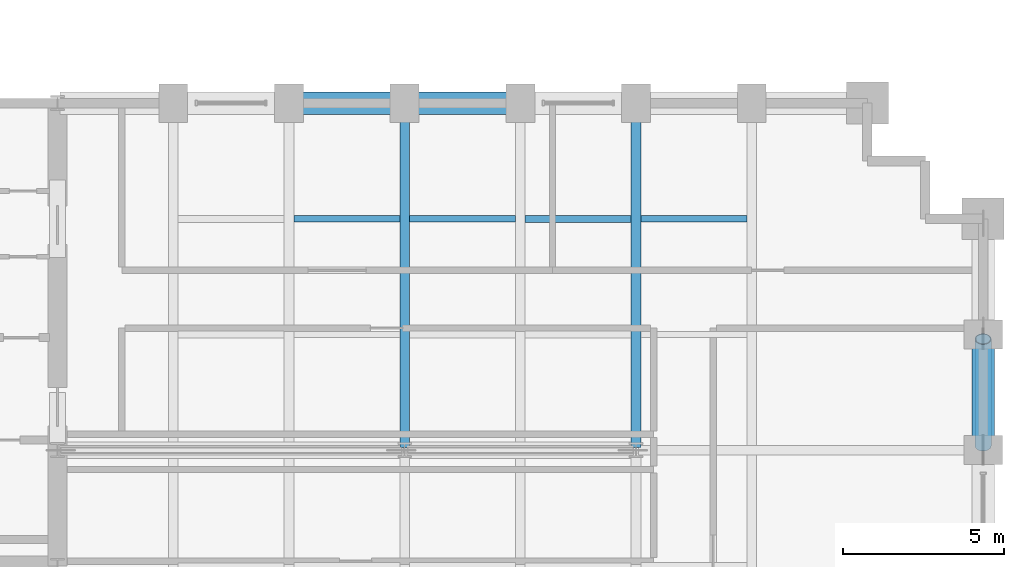
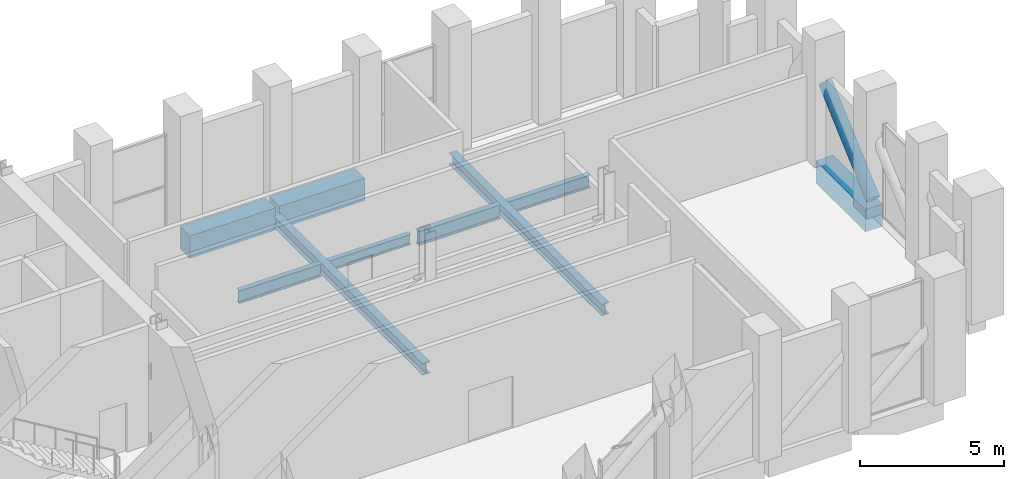
# One storey, part 14 of 27: 9 beams, 1 member.
"""IFC4 building model written with IfcOpenShell, lengths in metres."""

from ifc_helpers import new_model, si_unit, direction, frame, origin, origin_2d, place, context, subcontext, project, spatial, rectangle, hollow_circle, i_section, extrude, material, material_profile, profile_set, type_object, element, save


model = new_model("IFC4")

# Units and contexts
model_context = context("Model", 3, precision=1e-05, world=origin(), true_north=direction((0.0, 1.0)))
body_context = subcontext(model_context, "Body", "Model", "MODEL_VIEW")
ifc_project = project(units=[si_unit("LENGTHUNIT", "METRE"), si_unit("AREAUNIT", "SQUARE_METRE"), si_unit("VOLUMEUNIT", "CUBIC_METRE"), si_unit("PLANEANGLEUNIT", "RADIAN"), si_unit("MASSUNIT", "GRAM", prefix="KILO")], contexts=[model_context])

# Site, building, storey
site_placement = place(None, origin())
site = spatial("IfcSite", under=ifc_project, at=site_placement, CompositionType="ELEMENT")
building_placement = place(site_placement, origin())
building = spatial("IfcBuilding", under=site, at=building_placement, Name="Solnavia Interchange Tower", CompositionType="ELEMENT")
storey_placement = place(building_placement, frame((0.0, 0.0, 74.699951171875)))
storey = spatial("IfcBuildingStorey", under=building, at=storey_placement, Name="L18", CompositionType="ELEMENT", Elevation=74.699951171875)

# Beams
ifc_material_1 = material(Name="Steel S355", Category="steel")
ifc_material_profile_1 = material_profile(ifc_material_1, i_section(OverallWidth=0.18994140625, OverallDepth=0.449951171875, WebThickness=0.009521484375, FlangeThickness=0.0146484375, FilletRadius=0.02099609375, at=origin_2d()), Name="IPE 450")
ifc_profile_set_1 = profile_set([ifc_material_profile_1], Name="Steel S355")
beam_type_1 = type_object("IfcBeamType", Name="Beam-Joist-IPE450", PredefinedType="JOIST", material=ifc_profile_set_1)
beam_1_placement = place(storey_placement, frame((43.35009765625, 21.60009765625, -0.544921875), z_axis=(1.0, 0.0, 0.0), x_axis=(0.0, 1.0, 0.0)))
element("IfcBeam", 1, at=beam_1_placement, inside=storey, type_object=beam_type_1, Name="JST-L18-E18 East wing secondary joist", PredefinedType="JOIST", context=body_context, shape_type="SweptSolid", body=[
    extrude(i_section(OverallWidth=0.18994140625, OverallDepth=0.449951171875, WebThickness=0.009521484375, FlangeThickness=0.0146484375, FilletRadius=0.02099609375, at=origin_2d()), origin(), (0.0, 0.0, 1.0), 3.2998046875),
])
ifc_material_profile_2 = material_profile(ifc_material_1, i_section(OverallWidth=0.2099609375, OverallDepth=0.550048828125, WebThickness=0.010986328125, FlangeThickness=0.01708984375, FilletRadius=0.02392578125, at=origin_2d()), Name="IPE 550")
ifc_profile_set_2 = profile_set([ifc_material_profile_2], Name="Steel S355")
beam_type_2 = type_object("IfcBeamType", Name="Beam-Joist-IPE550", PredefinedType="JOIST", material=ifc_profile_set_2)
for number, where, z_axis, x_axis, name in (
    (2, (39.75, 21.60009765625, -0.594970703125), (1.0, 0.0, 0.0), (0.0, 1.0, 0.0), "JST-L18-E17 East wing secondary joist"),
    (3, (50.550048828125, 21.60009765625, -0.594970703125), (1.0, 0.0, 0.0), (0.0, 1.0, 0.0), "JST-L18-E20 East wing secondary joist"),
):
    element("IfcBeam", number, at=place(storey_placement, frame(where, z_axis=z_axis, x_axis=x_axis)), inside=storey, type_object=beam_type_2, Name=name, PredefinedType="JOIST", context=body_context, shape_type="SweptSolid", body=[
        extrude(i_section(OverallWidth=0.2099609375, OverallDepth=0.550048828125, WebThickness=0.010986328125, FlangeThickness=0.01708984375, FilletRadius=0.02392578125, at=origin_2d()), origin(), (0.0, 0.0, 1.0), 3.300048828125),
    ])
ifc_material_profile_3 = material_profile(ifc_material_1, i_section(OverallWidth=0.219970703125, OverallDepth=0.60009765625, WebThickness=0.011962890625, FlangeThickness=0.01904296875, FilletRadius=0.02392578125, at=origin_2d()), Name="IPE 600")
ifc_profile_set_3 = profile_set([ifc_material_profile_3], Name="Steel S355")
beam_type_3 = type_object("IfcBeamType", Name="Beam-Joist-IPE600", PredefinedType="JOIST", material=ifc_profile_set_3)
beam_2_placement = place(storey_placement, frame((46.949951171875, 21.60009765625, -0.619873046875), z_axis=(1.0, 0.0, 0.0), x_axis=(0.0, 1.0, 0.0)))
element("IfcBeam", 4, at=beam_2_placement, inside=storey, type_object=beam_type_3, Name="JST-L18-E19 East wing secondary joist", PredefinedType="JOIST", context=body_context, shape_type="SweptSolid", body=[
    extrude(i_section(OverallWidth=0.219970703125, OverallDepth=0.60009765625, WebThickness=0.011962890625, FlangeThickness=0.01904296875, FilletRadius=0.02392578125, at=origin_2d()), origin(), (0.0, 0.0, 1.0), 3.300048828125),
])
ifc_material_profile_4 = material_profile(ifc_material_1, i_section(OverallWidth=0.300048828125, OverallDepth=0.489990234375, WebThickness=0.011962890625, FlangeThickness=0.02294921875, FilletRadius=0.027099609375, at=origin_2d()), Name="HEA 500")
ifc_profile_set_4 = profile_set([ifc_material_profile_4], Name="Steel S355")
beam_type_4 = type_object("IfcBeamType", Name="Beam-Primary-HEA500", PredefinedType="BEAM", material=ifc_profile_set_4)
for number, where, z_axis, x_axis, name in (
    (5, (43.199951171875, 14.47998046875, -0.56494140625), (0.0, 1.0, 0.0), (-1.0, 0.0, 0.0), "GRD-L18-EW07 East wing primary floor girder"),
    (6, (50.39990234375, 14.47998046875, -0.56494140625), (0.0, 1.0, 0.0), (-1.0, 0.0, 0.0), "GRD-L18-EW10 East wing primary floor girder"),
):
    element("IfcBeam", number, at=place(storey_placement, frame(where, z_axis=z_axis, x_axis=x_axis)), inside=storey, type_object=beam_type_4, Name=name, PredefinedType="BEAM", context=body_context, shape_type="SweptSolid", body=[
        extrude(i_section(OverallWidth=0.300048828125, OverallDepth=0.489990234375, WebThickness=0.011962890625, FlangeThickness=0.02294921875, FilletRadius=0.027099609375, at=origin_2d()), origin(), (0.0, 0.0, 1.0), 10.64013671875),
    ])
ifc_material_2 = material(Name="Concrete C50/60", Category="concrete")
ifc_material_profile_5 = material_profile(ifc_material_2, rectangle(XDim=0.699951171875, YDim=0.949951171875, at=origin_2d()), Name="RC 700x950")
ifc_profile_set_5 = profile_set([ifc_material_profile_5], Name="Concrete C50/60")
beam_type_5 = type_object("IfcBeamType", Name="Beam-Spandrel-RC700x950", PredefinedType="SPANDREL", material=ifc_profile_set_5)
for number, where, z_axis, x_axis, name in (
    (7, (61.199951171875, 14.47998046875, -0.474853515625), (0.0, 1.0, 0.0), (-1.0, 0.0, 0.0), "SPB-L18-20 Framed-tube perimeter spandrel beam"),
    (8, (46.719970703125, 25.199951171875, -0.474853515625), (-1.0, 0.0, 0.0), (0.0, -1.0, 0.0), "SPB-L18-25 Framed-tube perimeter spandrel beam"),
):
    element("IfcBeam", number, at=place(storey_placement, frame(where, z_axis=z_axis, x_axis=x_axis)), inside=storey, type_object=beam_type_5, Name=name, PredefinedType="SPANDREL", context=body_context, shape_type="SweptSolid", body=[
        extrude(rectangle(XDim=0.699951171875, YDim=0.949951171875, at=origin_2d()), origin(), (0.0, 0.0, 1.0), 3.43994140625),
    ])
beam_3_placement = place(storey_placement, frame((43.1201171875, 25.199951171875, -0.474853515625), z_axis=(-1.0, 0.0, 0.0), x_axis=(0.0, -1.0, 0.0)))
element("IfcBeam", 9, at=beam_3_placement, inside=storey, type_object=beam_type_5, Name="SPB-L18-26 Framed-tube perimeter spandrel beam", PredefinedType="SPANDREL", context=body_context, shape_type="SweptSolid", body=[
    extrude(rectangle(XDim=0.699951171875, YDim=0.949951171875, at=origin_2d()), origin(), (0.0, 0.0, 1.0), 3.440185546875),
])

# Member
ifc_material_3 = material(Name="Steel S460", Category="steel")
ifc_material_profile_6 = material_profile(ifc_material_3, hollow_circle(Radius=0.25390625, WallThickness=0.02490234375, at=origin_2d()), Name="CHS 508x25")
ifc_profile_set_6 = profile_set([ifc_material_profile_6], Name="Steel S460")
member_type = type_object("IfcMemberType", Name="Outrigger-Diag-CHS508", PredefinedType="BRACE", material=ifc_profile_set_6)
member_placement = place(storey_placement, frame((61.199951171875, 14.5400390625, 0.300048828125), z_axis=(0.0, 0.747545781752, 0.664210286118), x_axis=(-1.0, 0.0, 0.0)))
element("IfcMember", 10, at=member_placement, inside=storey, type_object=member_type, Name="OTR-L18-BT10 Belt truss diagonal", PredefinedType="BRACE", context=body_context, shape_type="SweptSolid", body=[
    extrude(hollow_circle(Radius=0.25390625, WallThickness=0.02490234375, at=origin_2d()), origin(), (0.0, 0.0, 1.0), 4.44140625),
])

save(model, "model.ifc")
